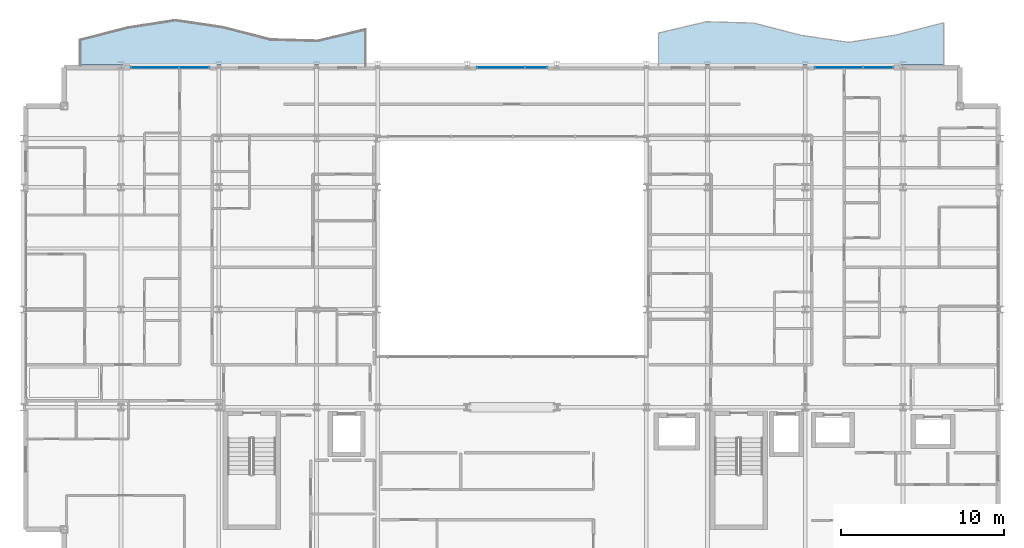
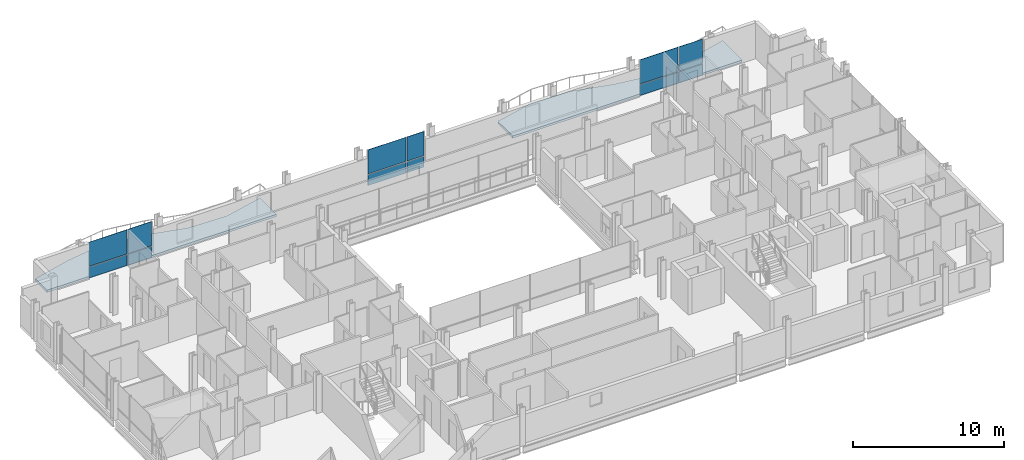
# One storey, part 29 of 40: 12 plates, 2 slabs, 3 elements without a shape of their own.
"""IFC4 building model written with IfcOpenShell, lengths in metres."""

from ifc_helpers import new_model, si_unit, direction, frame, origin, origin_2d, place, context, subcontext, project, spatial, polyline, rectangle, outline, extrude, material, layer, layer_set, type_object, element, aggregate, save


model = new_model("IFC4")

# Units and contexts
model_context = context("Model", 3, precision=1e-05, world=origin(), true_north=direction((0.0, 1.0)))
body_context = subcontext(model_context, "Body", "Model", "MODEL_VIEW")
ifc_project = project(units=[si_unit("LENGTHUNIT", "METRE"), si_unit("AREAUNIT", "SQUARE_METRE"), si_unit("VOLUMEUNIT", "CUBIC_METRE"), si_unit("PLANEANGLEUNIT", "RADIAN"), si_unit("MASSUNIT", "GRAM", prefix="KILO")], contexts=[model_context])

# Site, building, storey
site_placement = place(None, origin())
site = spatial("IfcSite", under=ifc_project, at=site_placement, CompositionType="ELEMENT")
building_placement = place(site_placement, origin())
building = spatial("IfcBuilding", under=site, at=building_placement, Name="Brevholm Reach", CompositionType="ELEMENT")
storey_placement = place(building_placement, frame((0.0, 0.0, 119.0)))
storey = spatial("IfcBuildingStorey", under=building, at=storey_placement, Name="L35", CompositionType="ELEMENT", Elevation=119.0)

# Curtain wall, plates
ifc_material_1 = material(Name="Dark Anodised Aluminium 6063-T6 and Solar-Control Glass", Category="aluminium")
ifc_layer_1 = layer(ifc_material_1, 0.14990234375)
ifc_layer_set_1 = layer_set([ifc_layer_1], Name="Dark Anodised Aluminium 6063-T6 and Solar-Control Glass")
curtain_wall_type = type_object("IfcCurtainWallType", Name="CW-01", PredefinedType="NOTDEFINED", material=ifc_layer_set_1)
curtain_wall_1_placement = place(storey_placement, origin())
curtain_wall_1 = element("IfcCurtainWall", 1, at=curtain_wall_1_placement, inside=storey, type_object=curtain_wall_type, Name="L35 Curtain Wall CW-01", PredefinedType="NOTDEFINED")
ifc_material_2 = material(Name="Dark Solar-Control Double-Glazed IGU Glass", Category="glass")
ifc_layer_2 = layer(ifc_material_2, 0.028076171875)
ifc_layer_set_2 = layer_set([ifc_layer_2], Name="Dark Solar-Control Double-Glazed IGU Glass")
plate_type = type_object("IfcPlateType", Name="CWP-GLZ-28", PredefinedType="CURTAIN_PANEL", material=ifc_layer_set_2)
plate_1_placement = place(storey_placement, frame((8.066162109375, 30.85009765625, 0.0), z_axis=(0.0, 0.0, 1.0), x_axis=(1.0, 0.0, 0.0)))
plate_1 = element("IfcPlate", 2, at=plate_1_placement, type_object=plate_type, Name="CP-01 Glazing Panel 1.1", PredefinedType="CURTAIN_PANEL", context=body_context, shape_type="SweptSolid", body=[
    extrude(rectangle(XDim=2.902587890625, YDim=0.028076171875, at=origin_2d()), origin(), (0.0, 0.0, 1.0), 0.867431640625),
])
plate_2_placement = place(storey_placement, frame((8.066162109375, 30.85009765625, 0.9326171875), z_axis=(0.0, 0.0, 1.0), x_axis=(1.0, 0.0, 0.0)))
plate_2 = element("IfcPlate", 3, at=plate_2_placement, type_object=plate_type, Name="CP-01 Glazing Panel 1.2", PredefinedType="CURTAIN_PANEL", context=body_context, shape_type="SweptSolid", body=[
    extrude(rectangle(XDim=2.902587890625, YDim=0.028076171875, at=origin_2d()), origin(), (0.0, 0.0, 1.0), 1.947509765625),
])
plate_3_placement = place(storey_placement, frame((10.483642578125, 30.85009765625, 0.0), z_axis=(0.0, 0.0, 1.0), x_axis=(1.0, 0.0, 0.0)))
plate_3 = element("IfcPlate", 4, at=plate_3_placement, type_object=plate_type, Name="CP-01 Glazing Panel 2.1", PredefinedType="CURTAIN_PANEL", context=body_context, shape_type="SweptSolid", body=[
    extrude(rectangle(XDim=1.802490234375, YDim=0.028076171875, at=origin_2d()), origin(), (0.0, 0.0, 1.0), 0.867431640625),
])
plate_4_placement = place(storey_placement, frame((10.483642578125, 30.85009765625, 0.9326171875), z_axis=(0.0, 0.0, 1.0), x_axis=(1.0, 0.0, 0.0)))
plate_4 = element("IfcPlate", 5, at=plate_4_placement, type_object=plate_type, Name="CP-01 Glazing Panel 2.2", PredefinedType="CURTAIN_PANEL", context=body_context, shape_type="SweptSolid", body=[
    extrude(rectangle(XDim=1.802490234375, YDim=0.028076171875, at=origin_2d()), origin(), (0.0, 0.0, 1.0), 1.947509765625),
])
aggregate(curtain_wall_1, [plate_1, plate_2, plate_3, plate_4])

curtain_wall_2_placement = place(storey_placement, origin())
curtain_wall_2 = element("IfcCurtainWall", 6, at=curtain_wall_2_placement, inside=storey, type_object=curtain_wall_type, Name="L35 Curtain Wall CW-01", PredefinedType="NOTDEFINED")
plate_5_placement = place(storey_placement, frame((29.316162109375, 30.85009765625, 0.0), z_axis=(0.0, 0.0, 1.0), x_axis=(1.0, 0.0, 0.0)))
plate_5 = element("IfcPlate", 7, at=plate_5_placement, type_object=plate_type, Name="CP-01 Glazing Panel 1.1", PredefinedType="CURTAIN_PANEL", context=body_context, shape_type="SweptSolid", body=[
    extrude(rectangle(XDim=2.902587890625, YDim=0.028076171875, at=origin_2d()), origin(), (0.0, 0.0, 1.0), 0.867431640625),
])
plate_6_placement = place(storey_placement, frame((29.316162109375, 30.85009765625, 0.9326171875), z_axis=(0.0, 0.0, 1.0), x_axis=(1.0, 0.0, 0.0)))
plate_6 = element("IfcPlate", 8, at=plate_6_placement, type_object=plate_type, Name="CP-01 Glazing Panel 1.2", PredefinedType="CURTAIN_PANEL", context=body_context, shape_type="SweptSolid", body=[
    extrude(rectangle(XDim=2.902587890625, YDim=0.028076171875, at=origin_2d()), origin(), (0.0, 0.0, 1.0), 1.947509765625),
])
plate_7_placement = place(storey_placement, frame((31.483642578125, 30.85009765625, 0.0), z_axis=(0.0, 0.0, 1.0), x_axis=(1.0, 0.0, 0.0)))
plate_7 = element("IfcPlate", 9, at=plate_7_placement, type_object=plate_type, Name="CP-01 Glazing Panel 2.1", PredefinedType="CURTAIN_PANEL", context=body_context, shape_type="SweptSolid", body=[
    extrude(rectangle(XDim=1.302490234375, YDim=0.028076171875, at=origin_2d()), origin(), (0.0, 0.0, 1.0), 0.867431640625),
])
plate_8_placement = place(storey_placement, frame((31.483642578125, 30.85009765625, 0.9326171875), z_axis=(0.0, 0.0, 1.0), x_axis=(1.0, 0.0, 0.0)))
plate_8 = element("IfcPlate", 10, at=plate_8_placement, type_object=plate_type, Name="CP-01 Glazing Panel 2.2", PredefinedType="CURTAIN_PANEL", context=body_context, shape_type="SweptSolid", body=[
    extrude(rectangle(XDim=1.302490234375, YDim=0.028076171875, at=origin_2d()), origin(), (0.0, 0.0, 1.0), 1.947509765625),
])
aggregate(curtain_wall_2, [plate_5, plate_6, plate_7, plate_8])

curtain_wall_3_placement = place(storey_placement, origin())
curtain_wall_3 = element("IfcCurtainWall", 11, at=curtain_wall_3_placement, inside=storey, type_object=curtain_wall_type, Name="L35 Curtain Wall CW-01", PredefinedType="NOTDEFINED")
plate_9_placement = place(storey_placement, frame((50.066162109375, 30.85009765625, 0.0), z_axis=(0.0, 0.0, 1.0), x_axis=(1.0, 0.0, 0.0)))
plate_9 = element("IfcPlate", 12, at=plate_9_placement, type_object=plate_type, Name="CP-01 Glazing Panel 1.1", PredefinedType="CURTAIN_PANEL", context=body_context, shape_type="SweptSolid", body=[
    extrude(rectangle(XDim=2.902587890625, YDim=0.028076171875, at=origin_2d()), origin(), (0.0, 0.0, 1.0), 0.867431640625),
])
plate_10_placement = place(storey_placement, frame((50.066162109375, 30.85009765625, 0.9326171875), z_axis=(0.0, 0.0, 1.0), x_axis=(1.0, 0.0, 0.0)))
plate_10 = element("IfcPlate", 13, at=plate_10_placement, type_object=plate_type, Name="CP-01 Glazing Panel 1.2", PredefinedType="CURTAIN_PANEL", context=body_context, shape_type="SweptSolid", body=[
    extrude(rectangle(XDim=2.902587890625, YDim=0.028076171875, at=origin_2d()), origin(), (0.0, 0.0, 1.0), 1.947509765625),
])
plate_11_placement = place(storey_placement, frame((52.483642578125, 30.85009765625, 0.0), z_axis=(0.0, 0.0, 1.0), x_axis=(1.0, 0.0, 0.0)))
plate_11 = element("IfcPlate", 14, at=plate_11_placement, type_object=plate_type, Name="CP-01 Glazing Panel 2.1", PredefinedType="CURTAIN_PANEL", context=body_context, shape_type="SweptSolid", body=[
    extrude(rectangle(XDim=1.802490234375, YDim=0.028076171875, at=origin_2d()), origin(), (0.0, 0.0, 1.0), 0.867431640625),
])
plate_12_placement = place(storey_placement, frame((52.483642578125, 30.85009765625, 0.9326171875), z_axis=(0.0, 0.0, 1.0), x_axis=(1.0, 0.0, 0.0)))
plate_12 = element("IfcPlate", 15, at=plate_12_placement, type_object=plate_type, Name="CP-01 Glazing Panel 2.2", PredefinedType="CURTAIN_PANEL", context=body_context, shape_type="SweptSolid", body=[
    extrude(rectangle(XDim=1.802490234375, YDim=0.028076171875, at=origin_2d()), origin(), (0.0, 0.0, 1.0), 1.947509765625),
])
aggregate(curtain_wall_3, [plate_9, plate_10, plate_11, plate_12])

# Slabs
ifc_material_3 = material(Name="Precast Concrete C40/50", Category="concrete")
ifc_layer_3 = layer(ifc_material_3, 0.179931640625)
ifc_layer_set_3 = layer_set([ifc_layer_3], Name="Precast Concrete C40/50")
slab_type = type_object("IfcSlabType", Name="SLB-BAL-180", PredefinedType="FLOOR", material=ifc_layer_set_3)
slab_1_placement = place(storey_placement, frame((0.0, 0.0, -0.179931640625)))
element("IfcSlab", 16, at=slab_1_placement, inside=storey, type_object=slab_type, Name="L35 Rippling External Balcony NE", PredefinedType="FLOOR", context=body_context, shape_type="SweptSolid", body=[
    extrude(outline(polyline([(39.0, 31.0), (56.5, 31.0), (56.5, 33.599609375), (53.583251953125, 32.855224609375), (50.666748046875, 32.400146484375), (47.75, 32.8330078125), (44.833251953125, 33.58447265625), (41.916748046875, 33.665283203125), (39.0, 32.969482421875), (39.0, 31.0)])), origin(), (0.0, 0.0, 1.0), 0.179931640625),
])
slab_2_placement = place(storey_placement, frame((0.0, 0.0, -0.179931640625)))
element("IfcSlab", 17, at=slab_2_placement, inside=storey, type_object=slab_type, Name="L35 Rippling External Balcony NW", PredefinedType="FLOOR", context=body_context, shape_type="SweptSolid", body=[
    extrude(outline(polyline([(3.5, 31.0), (21.0, 31.0), (21.0, 33.1806640625), (18.083251953125, 32.484619140625), (15.166748046875, 32.565673828125), (12.25, 33.31689453125), (9.333251953125, 33.75), (6.416748046875, 33.294921875), (3.5, 32.55029296875), (3.5, 31.0)])), origin(), (0.0, 0.0, 1.0), 0.179931640625),
])

save(model, "model.ifc")
